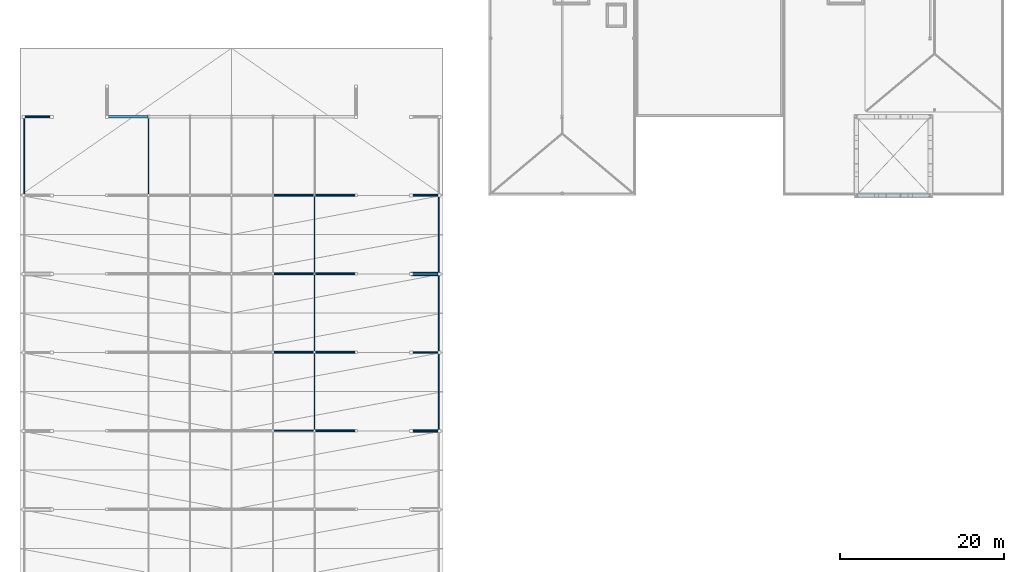
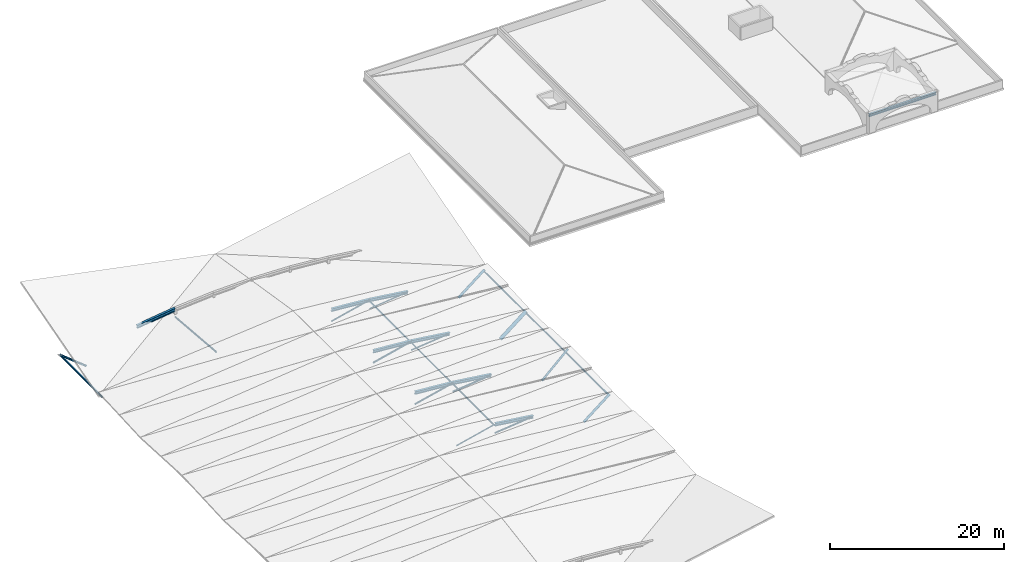
# One storey, part 8 of 16: 29 members, 1 beam.
"""IFC4 building model written with IfcOpenShell, lengths in metres."""

import ifcopenshell
import ifcopenshell.guid

model = None  # the IFC model being written
_history = None  # IfcOwnerHistory: only IFC2X3 demands one
_inside = {}  # id of a spatial element -> (the spatial element, [elements in it])
_under = {}  # id of a project, library or spatial element -> (it, [spatial elements below it])
_declared = {}  # id of a project -> (the project, [libraries it declares])
_typed = {}  # id of a type object -> (the type object, [elements of that type])
_made_of = {}  # id of a material, layer set ... -> (it, [elements and type objects made of it])


def new_model(schema):
    """Start an empty IFC model of exactly this schema.

    Asked for "IFC4X3", IfcOpenShell would pick the latest addendum, in which some entities
    have other attributes; the version numbers below select the first issue.
    IFC2X3 requires an IfcOwnerHistory on every rooted entity: one is made here for all.
    """
    global model, _history
    if schema == "IFC4X3":
        model = ifcopenshell.file(schema_version=(4, 3, 0, 0))
    else:
        model = ifcopenshell.file(schema=schema)
    _inside.clear()
    _under.clear()
    _declared.clear()
    _typed.clear()
    _made_of.clear()
    _history = None
    if model.schema == "IFC2X3":
        org = make("IfcOrganization", Name="unknown")
        user = make(
            "IfcPersonAndOrganization",
            ThePerson=make("IfcPerson", FamilyName="unknown"),
            TheOrganization=org,
        )
        app = make(
            "IfcApplication",
            ApplicationDeveloper=org,
            Version="unknown",
            ApplicationFullName="unknown",
            ApplicationIdentifier="unknown",
        )
        _history = make(
            "IfcOwnerHistory",
            OwningUser=user,
            OwningApplication=app,
            ChangeAction="ADDED",
            CreationDate=0,
        )
    return model


def make(cls, **values):
    """One entity of the class cls with the attributes given. An attribute that is None is left unset."""
    return model.create_entity(
        cls, **{name: value for name, value in values.items() if value is not None}
    )


def rooted(cls, **values):
    """An entity with a GlobalId (a new one), such as an element, a storey or a relation."""
    return make(cls, GlobalId=ifcopenshell.guid.new(), OwnerHistory=_history, **values)


def si_unit(unit_type, name, prefix=None):
    """IfcSIUnit, for example si_unit("LENGTHUNIT", "METRE", prefix="MILLI")."""
    return make("IfcSIUnit", UnitType=unit_type, Prefix=prefix, Name=name)


def assignment(units):
    """IfcUnitAssignment: the units of a project."""
    return None if units is None else make("IfcUnitAssignment", Units=units)


def point(xyz):
    """IfcCartesianPoint."""
    return None if xyz is None else make("IfcCartesianPoint", Coordinates=xyz)


def direction(xyz):
    """IfcDirection."""
    return None if xyz is None else make("IfcDirection", DirectionRatios=xyz)


def frame(location, z_axis=None, x_axis=None):
    """IfcAxis2Placement3D, a coordinate frame: its origin and axes. An axis left out is left unset."""
    return make(
        "IfcAxis2Placement3D",
        Location=point(location),
        Axis=direction(z_axis),
        RefDirection=direction(x_axis),
    )


def frame_2d(location, x_axis=None):
    """IfcAxis2Placement2D, a coordinate frame in the plane: its origin and x axis."""
    return make(
        "IfcAxis2Placement2D", Location=point(location), RefDirection=direction(x_axis)
    )


def origin():
    """The frame at (0, 0, 0) with its axes left unset."""
    return frame((0.0, 0.0, 0.0))


def origin_2d():
    """The frame at (0, 0) in the plane with its x axis left unset."""
    return frame_2d((0.0, 0.0))


def place(relative_to, where):
    """IfcLocalPlacement: puts the frame where relative to a parent placement (None: the world)."""
    return make(
        "IfcLocalPlacement", PlacementRelTo=relative_to, RelativePlacement=where
    )


def context(
    kind, dimensions, precision=None, world=None, true_north=None, identifier=None
):
    """IfcGeometricRepresentationContext, for example the 3D "Model" context."""
    return make(
        "IfcGeometricRepresentationContext",
        ContextIdentifier=identifier,
        ContextType=kind,
        CoordinateSpaceDimension=dimensions,
        Precision=precision,
        WorldCoordinateSystem=world,
        TrueNorth=true_north,
    )


def subcontext(parent, identifier, kind, view, scale=None):
    """IfcGeometricRepresentationSubContext, for example "Body" below "Model"."""
    return make(
        "IfcGeometricRepresentationSubContext",
        ContextIdentifier=identifier,
        ContextType=kind,
        ParentContext=parent,
        TargetScale=scale,
        TargetView=view,
    )


def project(units=None, contexts=None):
    """IfcProject with its units and contexts."""
    return rooted(
        "IfcProject",
        Name="project",
        RepresentationContexts=contexts,
        UnitsInContext=assignment(units),
    )


def spatial(cls, under=None, at=None, **own):
    """A site, building, storey or space (cls), placed at a placement, below another one or the project."""
    s = rooted(cls, ObjectPlacement=at, **own)
    if under is not None:
        _under.setdefault(under.id(), (under, []))[1].append(s)
    return s


def profile(cls, at=None, kind="AREA", **sizes):
    """A parametric profile (cls). Its sizes go by their IFC names, for example OverallWidth=200.0."""
    return make(cls, ProfileType=kind, Position=at, **sizes)


def hollow_rectangle(**sizes):
    """IfcRectangleHollowProfileDef."""
    return profile("IfcRectangleHollowProfileDef", **sizes)


def hollow_circle(**sizes):
    """IfcCircleHollowProfileDef."""
    return profile("IfcCircleHollowProfileDef", **sizes)


def i_section(**sizes):
    """IfcIShapeProfileDef."""
    return profile("IfcIShapeProfileDef", **sizes)


def extrude(swept, where, along, depth):
    """IfcExtrudedAreaSolid: the profile swept, set in the frame where, extruded along a direction by depth."""
    return make(
        "IfcExtrudedAreaSolid",
        SweptArea=swept,
        Position=where,
        ExtrudedDirection=direction(along),
        Depth=depth,
    )


def shape(context_of_items, identifier, shape_type, items):
    """IfcShapeRepresentation: the items that make up one representation, for example the "Body"."""
    return make(
        "IfcShapeRepresentation",
        ContextOfItems=context_of_items,
        RepresentationIdentifier=identifier,
        RepresentationType=shape_type,
        Items=items,
    )


def material(Name=None, Category=None):
    """IfcMaterial."""
    return make("IfcMaterial", Name=Name, Category=Category)


def material_profile(
    of_material, cross_section, Name=None, Category=None, Priority=None
):
    """IfcMaterialProfile: a cross section and its material."""
    return make(
        "IfcMaterialProfile",
        Name=Name,
        Material=of_material,
        Profile=cross_section,
        Priority=Priority,
        Category=Category,
    )


def profile_set(profiles, Name=None, composite=None):
    """IfcMaterialProfileSet."""
    return make(
        "IfcMaterialProfileSet",
        Name=Name,
        MaterialProfiles=profiles,
        CompositeProfile=composite,
    )


def made_of(thing, what):
    """Note that an element or type object is made of a material, layer set ...; save() writes the relation."""
    if what is not None:
        _made_of.setdefault(what.id(), (what, []))[1].append(thing)
    return thing


def type_object(cls, material=None, **own):
    """A type object (cls), such as IfcWallType, which elements share."""
    return made_of(rooted(cls, **own), material)


def element(
    cls,
    number,
    at=None,
    inside=None,
    cuts=None,
    type_object=None,
    material=None,
    context=None,
    identifier="Body",
    shape_type=None,
    held_by="IfcProductDefinitionShape",
    body=None,
    shapes=None,
    **own,
):
    """One element of the class cls, such as IfcWall. Its Tag is "e" and its number.

    at: its placement. inside: the storey or other place that contains it. cuts: it is an
    opening in that element (IfcRelVoidsElement). A single representation is given by context,
    identifier, shape_type and body (its items); several are given by shapes. held_by: the class
    of the entity that holds the representations. save() writes the other relations.
    """
    e = rooted(cls, Tag="e%d" % number, ObjectPlacement=at, **own)
    if body is not None:
        shapes = [shape(context, identifier, shape_type, body)]
    if shapes is not None:
        e.Representation = make(held_by, Representations=shapes)
    if inside is not None:
        _inside.setdefault(inside.id(), (inside, []))[1].append(e)
    if cuts is not None:
        rooted(
            "IfcRelVoidsElement", RelatingBuildingElement=cuts, RelatedOpeningElement=e
        )
    if type_object is not None:
        _typed.setdefault(type_object.id(), (type_object, []))[1].append(e)
    return made_of(e, material)


def aggregate(whole, parts):
    """IfcRelAggregates: a whole, such as a stair, and the parts it consists of."""
    return rooted("IfcRelAggregates", RelatingObject=whole, RelatedObjects=parts)


def save(model, path):
    """Write the relations noted so far, then the file.

    IfcRelAggregates (storeys below a building ...), IfcRelContainedInSpatialStructure (elements
    in a storey), IfcRelDefinesByType, IfcRelAssociatesMaterial and IfcRelDeclares: one each for
    every whole, place, type object, material and project.
    """
    for whole, parts in _under.values():
        aggregate(whole, parts)
    for where, things in _inside.values():
        rooted(
            "IfcRelContainedInSpatialStructure",
            RelatedElements=things,
            RelatingStructure=where,
        )
    for kind, things in _typed.values():
        rooted("IfcRelDefinesByType", RelatedObjects=things, RelatingType=kind)
    for what, things in _made_of.values():
        rooted("IfcRelAssociatesMaterial", RelatedObjects=things, RelatingMaterial=what)
    for by, libraries in _declared.values():
        rooted("IfcRelDeclares", RelatingContext=by, RelatedDefinitions=libraries)
    model.write(path)


model = new_model("IFC4")

# Units and contexts
model_context = context("Model", 3, precision=1e-05, world=origin(), true_north=direction((0.0, 1.0)))
body_context = subcontext(model_context, "Body", "Model", "MODEL_VIEW")
ifc_project = project(units=[si_unit("LENGTHUNIT", "METRE"), si_unit("AREAUNIT", "SQUARE_METRE"), si_unit("VOLUMEUNIT", "CUBIC_METRE"), si_unit("PLANEANGLEUNIT", "RADIAN"), si_unit("MASSUNIT", "GRAM", prefix="KILO")], contexts=[model_context])

# Site, building, storey
site_placement = place(None, origin())
site = spatial("IfcSite", under=ifc_project, at=site_placement, CompositionType="ELEMENT")
building_placement = place(site_placement, origin())
building = spatial("IfcBuilding", under=site, at=building_placement, Name="Myrtia Square Station", CompositionType="ELEMENT")
storey_placement = place(building_placement, frame((0.0, 0.0, 22.800048828125)))
storey = spatial("IfcBuildingStorey", under=building, at=storey_placement, Name="RF", CompositionType="ELEMENT", Elevation=22.800048828125)

# Beam
ifc_material = material(Name="Steel S355", Category="steel")
ifc_material_profile_1 = material_profile(ifc_material, i_section(OverallWidth=0.300048828125, OverallDepth=0.360107421875, WebThickness=0.012451171875, FlangeThickness=0.0224609375, FilletRadius=0.027099609375, at=origin_2d()), Name="HEB 360")
ifc_profile_set_1 = profile_set([ifc_material_profile_1], Name="Steel S355")
beam_type = type_object("IfcBeamType", Name="BM-HEB360", PredefinedType="BEAM", material=ifc_profile_set_1)
beam_placement = place(storey_placement, frame((171.050048828125, 86.39990234375, 2.5), z_axis=(1.0, 0.0, 0.0), x_axis=(0.0, 1.0, 0.0)))
element("IfcBeam", 1, at=beam_placement, inside=storey, type_object=beam_type, Name="Station clock tower belfry ring beam 1", PredefinedType="BEAM", context=body_context, shape_type="SweptSolid", body=[
    extrude(i_section(OverallWidth=0.300048828125, OverallDepth=0.360107421875, WebThickness=0.012451171875, FlangeThickness=0.0224609375, FilletRadius=0.027099609375, at=origin_2d()), origin(), (0.0, 0.0, 1.0), 8.89990234375),
])

# Members
ifc_material_profile_2 = material_profile(ifc_material, hollow_circle(Radius=0.084228515625, WallThickness=0.010009765625, at=origin_2d()), Name="CHS 168.3x10")
ifc_profile_set_2 = profile_set([ifc_material_profile_2], Name="Steel S355")
member_type_1 = type_object("IfcMemberType", Name="BRC-CHS168", PredefinedType="BRACE", material=ifc_profile_set_2)
member_1_placement = place(storey_placement, frame((99.64990234375, 57.60009765625, -1.449951171875), z_axis=(0.972441626992, 0.0, 0.233146482053), x_axis=(0.0, 1.0, 0.0)))
element("IfcMember", 2, at=member_1_placement, inside=storey, type_object=member_type_1, Name="Bowstring arch truss 04 web diagonal 5", PredefinedType="BRACE", context=body_context, shape_type="SweptSolid", body=[
    extrude(hollow_circle(Radius=0.084228515625, WallThickness=0.010009765625, at=origin_2d()), origin(), (0.0, 0.0, 1.0), 5.218994140625),
])
member_2_placement = place(storey_placement, frame((104.72509765625, 86.39990234375, -1.449951171875), z_axis=(0.994182711445, 0.0, 0.107706714109), x_axis=(0.0, 1.0, 0.0)))
element("IfcMember", 3, at=member_2_placement, inside=storey, type_object=member_type_1, Name="Bowstring arch truss 07 web diagonal 6", PredefinedType="BRACE", context=body_context, shape_type="SweptSolid", body=[
    extrude(hollow_circle(Radius=0.084228515625, WallThickness=0.010009765625, at=origin_2d()), origin(), (0.0, 0.0, 1.0), 5.104736328125),
])
ifc_material_profile_3 = material_profile(ifc_material, hollow_circle(Radius=0.109619140625, WallThickness=0.012451171875, at=origin_2d()), Name="CHS 219.1x12.5")
ifc_profile_set_3 = profile_set([ifc_material_profile_3], Name="Steel S355")
member_type_2 = type_object("IfcMemberType", Name="BRC-CHS219", PredefinedType="BRACE", material=ifc_profile_set_3)
member_3_placement = place(storey_placement, frame((104.72509765625, 57.60009765625, -1.449951171875), z_axis=(0.994182711445, 0.0, 0.107706714109), x_axis=(0.0, 1.0, 0.0)))
element("IfcMember", 4, at=member_3_placement, inside=storey, type_object=member_type_2, Name="Bowstring arch truss 04 web diagonal 6", PredefinedType="BRACE", context=body_context, shape_type="SweptSolid", body=[
    extrude(hollow_circle(Radius=0.109619140625, WallThickness=0.012451171875, at=origin_2d()), origin(), (0.0, 0.0, 1.0), 5.104736328125),
])
member_4_placement = place(storey_placement, frame((99.64990234375, 67.199951171875, -1.449951171875), z_axis=(0.972441626992, 0.0, 0.233146482053), x_axis=(0.0, 1.0, 0.0)))
element("IfcMember", 5, at=member_4_placement, inside=storey, type_object=member_type_2, Name="Bowstring arch truss 05 web diagonal 5", PredefinedType="BRACE", context=body_context, shape_type="SweptSolid", body=[
    extrude(hollow_circle(Radius=0.109619140625, WallThickness=0.012451171875, at=origin_2d()), origin(), (0.0, 0.0, 1.0), 5.218994140625),
])
ifc_material_profile_4 = material_profile(ifc_material, hollow_rectangle(XDim=0.14990234375, YDim=0.14990234375, WallThickness=0.010009765625, InnerFilletRadius=0.010009765625, OuterFilletRadius=0.02001953125, at=origin_2d()), Name="SHS 150x150x10")
ifc_profile_set_4 = profile_set([ifc_material_profile_4], Name="Steel S355")
member_type_3 = type_object("IfcMemberType", Name="BRC-SHS150", PredefinedType="BRACE", material=ifc_profile_set_4)
member_5_placement = place(storey_placement, frame((104.72509765625, 76.800048828125, -1.449951171875), z_axis=(0.994182711445, 0.0, 0.107706714109), x_axis=(0.0, 1.0, 0.0)))
element("IfcMember", 6, at=member_5_placement, inside=storey, type_object=member_type_3, Name="Bowstring arch truss 06 web diagonal 6", PredefinedType="BRACE", context=body_context, shape_type="SweptSolid", body=[
    extrude(hollow_rectangle(XDim=0.14990234375, YDim=0.14990234375, WallThickness=0.010009765625, InnerFilletRadius=0.010009765625, OuterFilletRadius=0.02001953125, at=origin_2d()), origin(), (0.0, 0.0, 1.0), 5.104736328125),
])
member_6_placement = place(storey_placement, frame((99.64990234375, 86.39990234375, -1.449951171875), z_axis=(0.972441626992, 0.0, 0.233146482053), x_axis=(0.0, 1.0, 0.0)))
element("IfcMember", 7, at=member_6_placement, inside=storey, type_object=member_type_3, Name="Bowstring arch truss 07 web diagonal 5", PredefinedType="BRACE", context=body_context, shape_type="SweptSolid", body=[
    extrude(hollow_rectangle(XDim=0.14990234375, YDim=0.14990234375, WallThickness=0.010009765625, InnerFilletRadius=0.010009765625, OuterFilletRadius=0.02001953125, at=origin_2d()), origin(), (0.0, 0.0, 1.0), 5.218994140625),
])
ifc_material_profile_5 = material_profile(ifc_material, hollow_rectangle(XDim=0.179931640625, YDim=0.179931640625, WallThickness=0.012451171875, InnerFilletRadius=0.012451171875, OuterFilletRadius=0.02490234375, at=origin_2d()), Name="SHS 180x180x12.5")
ifc_profile_set_5 = profile_set([ifc_material_profile_5], Name="Steel S355")
member_type_4 = type_object("IfcMemberType", Name="BRC-SHS180", PredefinedType="BRACE", material=ifc_profile_set_5)
member_7_placement = place(storey_placement, frame((104.72509765625, 67.199951171875, -1.449951171875), z_axis=(0.994182711445, 0.0, 0.107706714109), x_axis=(0.0, 1.0, 0.0)))
element("IfcMember", 8, at=member_7_placement, inside=storey, type_object=member_type_4, Name="Bowstring arch truss 05 web diagonal 6", PredefinedType="BRACE", context=body_context, shape_type="SweptSolid", body=[
    extrude(hollow_rectangle(XDim=0.179931640625, YDim=0.179931640625, WallThickness=0.012451171875, InnerFilletRadius=0.012451171875, OuterFilletRadius=0.02490234375, at=origin_2d()), origin(), (0.0, 0.0, 1.0), 5.104736328125),
])
member_8_placement = place(storey_placement, frame((99.64990234375, 76.800048828125, -1.449951171875), z_axis=(0.972441626992, 0.0, 0.233146482053), x_axis=(0.0, 1.0, 0.0)))
element("IfcMember", 9, at=member_8_placement, inside=storey, type_object=member_type_4, Name="Bowstring arch truss 06 web diagonal 5", PredefinedType="BRACE", context=body_context, shape_type="SweptSolid", body=[
    extrude(hollow_rectangle(XDim=0.179931640625, YDim=0.179931640625, WallThickness=0.012451171875, InnerFilletRadius=0.012451171875, OuterFilletRadius=0.02490234375, at=origin_2d()), origin(), (0.0, 0.0, 1.0), 5.218994140625),
])
ifc_material_profile_6 = material_profile(ifc_material, i_section(OverallWidth=0.300048828125, OverallDepth=0.39990234375, WebThickness=0.013427734375, FlangeThickness=0.02392578125, FilletRadius=0.027099609375, at=origin_2d()), Name="HEB 400")
ifc_profile_set_6 = profile_set([ifc_material_profile_6], Name="Steel S355")
member_type_5 = type_object("IfcMemberType", Name="CHD-HEB400", PredefinedType="CHORD", material=ifc_profile_set_6)
member_9_placement = place(storey_placement, frame((104.72509765625, 57.60009765625, -0.233154296875), z_axis=(0.991473603665, 0.0, -0.130307686786), x_axis=(0.0, 1.0, 0.0)))
element("IfcMember", 10, at=member_9_placement, inside=storey, type_object=member_type_5, Name="Bowstring arch truss 04 arch chord 6", PredefinedType="CHORD", context=body_context, shape_type="SweptSolid", body=[
    extrude(i_section(OverallWidth=0.300048828125, OverallDepth=0.39990234375, WebThickness=0.013427734375, FlangeThickness=0.02392578125, FilletRadius=0.027099609375, at=origin_2d()), origin(), (0.0, 0.0, 1.0), 5.11865234375),
])
member_10_placement = place(storey_placement, frame((99.64990234375, 67.199951171875, 0.1669921875), z_axis=(0.996906262509, 0.0, -0.078599642306), x_axis=(0.0, 1.0, 0.0)))
element("IfcMember", 11, at=member_10_placement, inside=storey, type_object=member_type_5, Name="Bowstring arch truss 05 arch chord 5", PredefinedType="CHORD", context=body_context, shape_type="SweptSolid", body=[
    extrude(i_section(OverallWidth=0.300048828125, OverallDepth=0.39990234375, WebThickness=0.013427734375, FlangeThickness=0.02392578125, FilletRadius=0.027099609375, at=origin_2d()), origin(), (0.0, 0.0, 1.0), 5.091064453125),
])
member_11_placement = place(storey_placement, frame((104.72509765625, 67.199951171875, -0.233154296875), z_axis=(0.991473603665, 0.0, -0.130307686786), x_axis=(0.0, 1.0, 0.0)))
element("IfcMember", 12, at=member_11_placement, inside=storey, type_object=member_type_5, Name="Bowstring arch truss 05 arch chord 6", PredefinedType="CHORD", context=body_context, shape_type="SweptSolid", body=[
    extrude(i_section(OverallWidth=0.300048828125, OverallDepth=0.39990234375, WebThickness=0.013427734375, FlangeThickness=0.02392578125, FilletRadius=0.027099609375, at=origin_2d()), origin(), (0.0, 0.0, 1.0), 5.11865234375),
])
member_12_placement = place(storey_placement, frame((99.64990234375, 76.800048828125, 0.1669921875), z_axis=(0.996906262509, 0.0, -0.078599642306), x_axis=(0.0, 1.0, 0.0)))
element("IfcMember", 13, at=member_12_placement, inside=storey, type_object=member_type_5, Name="Bowstring arch truss 06 arch chord 5", PredefinedType="CHORD", context=body_context, shape_type="SweptSolid", body=[
    extrude(i_section(OverallWidth=0.300048828125, OverallDepth=0.39990234375, WebThickness=0.013427734375, FlangeThickness=0.02392578125, FilletRadius=0.027099609375, at=origin_2d()), origin(), (0.0, 0.0, 1.0), 5.091064453125),
])
member_13_placement = place(storey_placement, frame((104.72509765625, 76.800048828125, -0.233154296875), z_axis=(0.991473603665, 0.0, -0.130307686786), x_axis=(0.0, 1.0, 0.0)))
element("IfcMember", 14, at=member_13_placement, inside=storey, type_object=member_type_5, Name="Bowstring arch truss 06 arch chord 6", PredefinedType="CHORD", context=body_context, shape_type="SweptSolid", body=[
    extrude(i_section(OverallWidth=0.300048828125, OverallDepth=0.39990234375, WebThickness=0.013427734375, FlangeThickness=0.02392578125, FilletRadius=0.027099609375, at=origin_2d()), origin(), (0.0, 0.0, 1.0), 5.11865234375),
])
member_14_placement = place(storey_placement, frame((99.64990234375, 86.39990234375, 0.1669921875), z_axis=(0.996906262509, 0.0, -0.078599642306), x_axis=(0.0, 1.0, 0.0)))
element("IfcMember", 15, at=member_14_placement, inside=storey, type_object=member_type_5, Name="Bowstring arch truss 07 arch chord 5", PredefinedType="CHORD", context=body_context, shape_type="SweptSolid", body=[
    extrude(i_section(OverallWidth=0.300048828125, OverallDepth=0.39990234375, WebThickness=0.013427734375, FlangeThickness=0.02392578125, FilletRadius=0.027099609375, at=origin_2d()), origin(), (0.0, 0.0, 1.0), 5.091064453125),
])
member_15_placement = place(storey_placement, frame((104.72509765625, 86.39990234375, -0.233154296875), z_axis=(0.991473603665, 0.0, -0.130307686786), x_axis=(0.0, 1.0, 0.0)))
element("IfcMember", 16, at=member_15_placement, inside=storey, type_object=member_type_5, Name="Bowstring arch truss 07 arch chord 6", PredefinedType="CHORD", context=body_context, shape_type="SweptSolid", body=[
    extrude(i_section(OverallWidth=0.300048828125, OverallDepth=0.39990234375, WebThickness=0.013427734375, FlangeThickness=0.02392578125, FilletRadius=0.027099609375, at=origin_2d()), origin(), (0.0, 0.0, 1.0), 5.11865234375),
])
ifc_material_profile_7 = material_profile(ifc_material, i_section(OverallWidth=0.300048828125, OverallDepth=0.449951171875, WebThickness=0.013916015625, FlangeThickness=0.02587890625, FilletRadius=0.027099609375, at=origin_2d()), Name="HEB 450")
ifc_profile_set_7 = profile_set([ifc_material_profile_7], Name="Steel S355")
member_type_6 = type_object("IfcMemberType", Name="CHD-HEB450", PredefinedType="CHORD", material=ifc_profile_set_7)
member_16_placement = place(storey_placement, frame((79.35009765625, 96.0, -0.900146484375), z_axis=(0.991473603665, 0.0, 0.130307686786), x_axis=(0.0, 1.0, 0.0)))
element("IfcMember", 17, at=member_16_placement, inside=storey, type_object=member_type_6, Name="Bowstring arch truss 08 arch chord 1", PredefinedType="CHORD", context=body_context, shape_type="SweptSolid", body=[
    extrude(i_section(OverallWidth=0.300048828125, OverallDepth=0.449951171875, WebThickness=0.013916015625, FlangeThickness=0.02587890625, FilletRadius=0.027099609375, at=origin_2d()), origin(), (0.0, 0.0, 1.0), 5.11865234375),
])
ifc_material_profile_8 = material_profile(ifc_material, i_section(OverallWidth=0.091064453125, OverallDepth=0.179931640625, WebThickness=0.00537109375, FlangeThickness=0.008056640625, FilletRadius=0.009033203125, at=origin_2d()), Name="IPE 180")
ifc_profile_set_8 = profile_set([ifc_material_profile_8], Name="Steel S355")
member_type_7 = type_object("IfcMemberType", Name="PUR-IPE180", PredefinedType="PURLIN", material=ifc_profile_set_8)
member_17_placement = place(storey_placement, frame((104.72509765625, 67.199951171875, -0.393310546875), z_axis=(0.0, 1.0, 0.0), x_axis=(-1.0, 0.0, 0.0)))
element("IfcMember", 18, at=member_17_placement, inside=storey, type_object=member_type_7, Name="Folded roof purlin PUR-RF-0040", PredefinedType="PURLIN", context=body_context, shape_type="SweptSolid", body=[
    extrude(i_section(OverallWidth=0.091064453125, OverallDepth=0.179931640625, WebThickness=0.00537109375, FlangeThickness=0.008056640625, FilletRadius=0.009033203125, at=origin_2d()), origin(), (0.0, 0.0, 1.0), 9.60009765625),
])
member_18_placement = place(storey_placement, frame((119.89990234375, 76.800048828125, -1.4599609375), z_axis=(0.0, 1.0, 0.0), x_axis=(-1.0, 0.0, 0.0)))
element("IfcMember", 19, at=member_18_placement, inside=storey, type_object=member_type_7, Name="Overhang eave purlin PUR-RF-0051", PredefinedType="PURLIN", context=body_context, shape_type="SweptSolid", body=[
    extrude(i_section(OverallWidth=0.091064453125, OverallDepth=0.179931640625, WebThickness=0.00537109375, FlangeThickness=0.008056640625, FilletRadius=0.009033203125, at=origin_2d()), origin(), (0.0, 0.0, 1.0), 9.599853515625),
])
ifc_material_profile_9 = material_profile(ifc_material, i_section(OverallWidth=0.10009765625, OverallDepth=0.199951171875, WebThickness=0.005615234375, FlangeThickness=0.008544921875, FilletRadius=0.011962890625, at=origin_2d()), Name="IPE 200")
ifc_profile_set_9 = profile_set([ifc_material_profile_9], Name="Steel S355")
member_type_8 = type_object("IfcMemberType", Name="PUR-IPE200", PredefinedType="PURLIN", material=ifc_profile_set_9)
member_19_placement = place(storey_placement, frame((104.72509765625, 57.60009765625, -0.393310546875), z_axis=(0.0, 1.0, 0.0), x_axis=(-1.0, 0.0, 0.0)))
element("IfcMember", 20, at=member_19_placement, inside=storey, type_object=member_type_8, Name="Folded roof purlin PUR-RF-0031", PredefinedType="PURLIN", context=body_context, shape_type="SweptSolid", body=[
    extrude(i_section(OverallWidth=0.10009765625, OverallDepth=0.199951171875, WebThickness=0.005615234375, FlangeThickness=0.008544921875, FilletRadius=0.011962890625, at=origin_2d()), origin(), (0.0, 0.0, 1.0), 9.599853515625),
])
member_20_placement = place(storey_placement, frame((119.89990234375, 67.199951171875, -1.4599609375), z_axis=(0.0, 1.0, 0.0), x_axis=(-1.0, 0.0, 0.0)))
element("IfcMember", 21, at=member_20_placement, inside=storey, type_object=member_type_8, Name="Overhang eave purlin PUR-RF-0042", PredefinedType="PURLIN", context=body_context, shape_type="SweptSolid", body=[
    extrude(i_section(OverallWidth=0.10009765625, OverallDepth=0.199951171875, WebThickness=0.005615234375, FlangeThickness=0.008544921875, FilletRadius=0.011962890625, at=origin_2d()), origin(), (0.0, 0.0, 1.0), 9.60009765625),
])
ifc_material_profile_10 = material_profile(ifc_material, i_section(OverallWidth=0.110107421875, OverallDepth=0.219970703125, WebThickness=0.005859375, FlangeThickness=0.00927734375, FilletRadius=0.011962890625, at=origin_2d()), Name="IPE 220")
ifc_profile_set_10 = profile_set([ifc_material_profile_10], Name="Steel S355")
member_type_9 = type_object("IfcMemberType", Name="PUR-IPE220", PredefinedType="PURLIN", material=ifc_profile_set_10)
member_21_placement = place(storey_placement, frame((119.89990234375, 57.60009765625, -1.4599609375), z_axis=(0.0, 1.0, 0.0), x_axis=(-1.0, 0.0, 0.0)))
element("IfcMember", 22, at=member_21_placement, inside=storey, type_object=member_type_9, Name="Overhang eave purlin PUR-RF-0033", PredefinedType="PURLIN", context=body_context, shape_type="SweptSolid", body=[
    extrude(i_section(OverallWidth=0.110107421875, OverallDepth=0.219970703125, WebThickness=0.005859375, FlangeThickness=0.00927734375, FilletRadius=0.011962890625, at=origin_2d()), origin(), (0.0, 0.0, 1.0), 9.599853515625),
])
member_22_placement = place(storey_placement, frame((84.425048828125, 86.39990234375, -0.473388671875), z_axis=(0.0, 0.996388480216, -0.084911698215), x_axis=(-1.0, 0.0, 0.0)))
element("IfcMember", 23, at=member_22_placement, inside=storey, type_object=member_type_9, Name="Folded roof purlin PUR-RF-0054", PredefinedType="PURLIN", context=body_context, shape_type="SweptSolid", body=[
    extrude(i_section(OverallWidth=0.110107421875, OverallDepth=0.219970703125, WebThickness=0.005859375, FlangeThickness=0.00927734375, FilletRadius=0.011962890625, at=origin_2d()), origin(), (0.0, 0.0, 1.0), 9.635009765625),
])
ifc_material_profile_11 = material_profile(ifc_material, i_section(OverallWidth=0.1201171875, OverallDepth=0.239990234375, WebThickness=0.006103515625, FlangeThickness=0.009765625, FilletRadius=0.014892578125, at=origin_2d()), Name="IPE 240")
ifc_profile_set_11 = profile_set([ifc_material_profile_11], Name="Steel S355")
member_type_10 = type_object("IfcMemberType", Name="PUR-IPE240", PredefinedType="PURLIN", material=ifc_profile_set_11)
member_23_placement = place(storey_placement, frame((69.25, 86.39990234375, -1.4599609375), z_axis=(0.0, 1.0, 0.0), x_axis=(-1.0, 0.0, 0.0)))
element("IfcMember", 24, at=member_23_placement, inside=storey, type_object=member_type_10, Name="Overhang eave purlin PUR-RF-0059", PredefinedType="PURLIN", context=body_context, shape_type="SweptSolid", body=[
    extrude(i_section(OverallWidth=0.1201171875, OverallDepth=0.239990234375, WebThickness=0.006103515625, FlangeThickness=0.009765625, FilletRadius=0.014892578125, at=origin_2d()), origin(), (0.0, 0.0, 1.0), 9.60009765625),
])
ifc_material_profile_12 = material_profile(ifc_material, hollow_rectangle(XDim=0.10009765625, YDim=0.199951171875, WallThickness=0.008056640625, InnerFilletRadius=0.008056640625, OuterFilletRadius=0.01611328125, at=origin_2d()), Name="RHS 200x100x8")
ifc_profile_set_12 = profile_set([ifc_material_profile_12], Name="Steel S355")
member_type_11 = type_object("IfcMemberType", Name="PUR-RHS200", PredefinedType="PURLIN", material=ifc_profile_set_12)
member_24_placement = place(storey_placement, frame((104.72509765625, 76.800048828125, -0.393310546875), z_axis=(0.0, 1.0, 0.0), x_axis=(-1.0, 0.0, 0.0)))
element("IfcMember", 25, at=member_24_placement, inside=storey, type_object=member_type_11, Name="Folded roof purlin PUR-RF-0049", PredefinedType="PURLIN", context=body_context, shape_type="SweptSolid", body=[
    extrude(hollow_rectangle(XDim=0.10009765625, YDim=0.199951171875, WallThickness=0.008056640625, InnerFilletRadius=0.008056640625, OuterFilletRadius=0.01611328125, at=origin_2d()), origin(), (0.0, 0.0, 1.0), 9.599853515625),
])
ifc_material_profile_13 = material_profile(ifc_material, hollow_circle(Radius=0.136474609375, WallThickness=0.01611328125, at=origin_2d()), Name="CHS 273x16")
ifc_profile_set_13 = profile_set([ifc_material_profile_13], Name="Steel S355")
member_type_12 = type_object("IfcMemberType", Name="STR-CHS273", PredefinedType="STRUT", material=ifc_profile_set_13)
member_25_placement = place(storey_placement, frame((116.550048828125, 67.199951171875, -4.050048828125), z_axis=(0.728399715211, 0.0, 0.685152431858), x_axis=(0.0, 1.0, 0.0)))
element("IfcMember", 26, at=member_25_placement, inside=storey, type_object=member_type_12, Name="Folded roof overhang raking strut STR-UP-016", PredefinedType="STRUT", context=body_context, shape_type="SweptSolid", body=[
    extrude(hollow_circle(Radius=0.136474609375, WallThickness=0.01611328125, at=origin_2d()), origin(), (0.0, 0.0, 1.0), 4.736328125),
])
member_26_placement = place(storey_placement, frame((72.60009765625, 96.0, -4.050048828125), z_axis=(-0.782529927903, 0.0, 0.622612971224), x_axis=(0.0, -1.0, 0.0)))
element("IfcMember", 27, at=member_26_placement, inside=storey, type_object=member_type_12, Name="Folded roof overhang raking strut STR-UP-026", PredefinedType="STRUT", context=body_context, shape_type="SweptSolid", body=[
    extrude(hollow_circle(Radius=0.136474609375, WallThickness=0.01611328125, at=origin_2d()), origin(), (0.0, 0.0, 1.0), 4.408935546875),
])
ifc_material_profile_14 = material_profile(ifc_material, hollow_circle(Radius=0.161865234375, WallThickness=0.01611328125, at=origin_2d()), Name="CHS 323.9x16")
ifc_profile_set_14 = profile_set([ifc_material_profile_14], Name="Steel S355")
member_type_13 = type_object("IfcMemberType", Name="STR-CHS323", PredefinedType="STRUT", material=ifc_profile_set_14)
for number, where, z_axis, x_axis, name in (
    (28, (116.550048828125, 57.60009765625, -4.050048828125), (0.782508461371, 0.0, 0.622639950439), (0.0, 1.0, 0.0), "Folded roof overhang raking strut STR-UP-012"),
    (29, (116.550048828125, 86.39990234375, -4.050048828125), (0.782508461371, 0.0, 0.622639950439), (0.0, 1.0, 0.0), "Folded roof overhang raking strut STR-UP-024"),
):
    element("IfcMember", number, at=place(storey_placement, frame(where, z_axis=z_axis, x_axis=x_axis)), inside=storey, type_object=member_type_13, Name=name, PredefinedType="STRUT", context=body_context, shape_type="SweptSolid", body=[
        extrude(hollow_circle(Radius=0.161865234375, WallThickness=0.01611328125, at=origin_2d()), origin(), (0.0, 0.0, 1.0), 4.408935546875),
    ])
ifc_material_profile_15 = material_profile(ifc_material, hollow_circle(Radius=0.228515625, WallThickness=0.02490234375, at=origin_2d()), Name="CHS 457x25")
ifc_profile_set_15 = profile_set([ifc_material_profile_15], Name="Steel S355")
member_type_14 = type_object("IfcMemberType", Name="STR-CHS457", PredefinedType="STRUT", material=ifc_profile_set_15)
member_27_placement = place(storey_placement, frame((116.550048828125, 76.800048828125, -4.050048828125), z_axis=(0.782508461371, 0.0, 0.622639950439), x_axis=(0.0, 1.0, 0.0)))
element("IfcMember", 30, at=member_27_placement, inside=storey, type_object=member_type_14, Name="Folded roof overhang raking strut STR-UP-020", PredefinedType="STRUT", context=body_context, shape_type="SweptSolid", body=[
    extrude(hollow_circle(Radius=0.228515625, WallThickness=0.02490234375, at=origin_2d()), origin(), (0.0, 0.0, 1.0), 4.408935546875),
])

save(model, "model.ifc")
